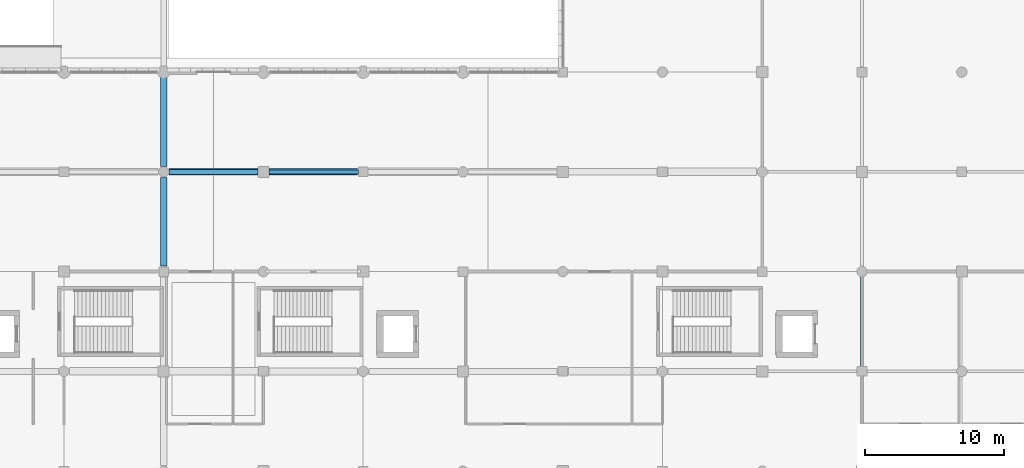
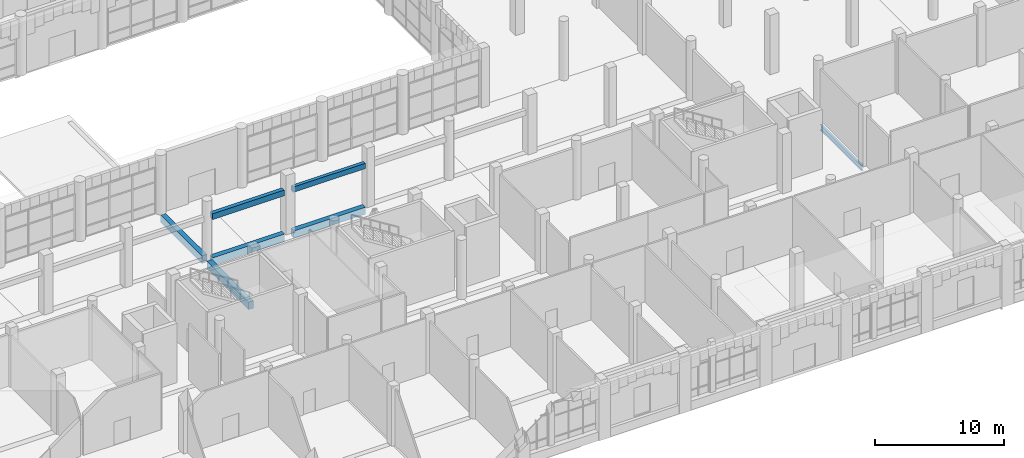
# One storey, part 16 of 85: 7 beams.
"""IFC4 building model written with IfcOpenShell, lengths in metres."""

from ifc_helpers import new_model, si_unit, direction, frame, origin, origin_2d, place, context, subcontext, project, spatial, rectangle, i_section, extrude, material, material_profile, profile_set, type_object, element, save


model = new_model("IFC4")

# Units and contexts
model_context = context("Model", 3, precision=1e-05, world=origin(), true_north=direction((0.0, 1.0)))
body_context = subcontext(model_context, "Body", "Model", "MODEL_VIEW")
ifc_project = project(units=[si_unit("LENGTHUNIT", "METRE"), si_unit("AREAUNIT", "SQUARE_METRE"), si_unit("VOLUMEUNIT", "CUBIC_METRE"), si_unit("PLANEANGLEUNIT", "RADIAN"), si_unit("MASSUNIT", "GRAM", prefix="KILO")], contexts=[model_context])

# Site, building, storey
site_placement = place(None, origin())
site = spatial("IfcSite", under=ifc_project, at=site_placement, CompositionType="ELEMENT")
building_placement = place(site_placement, origin())
building = spatial("IfcBuilding", under=site, at=building_placement, Name="Sardonyx Promenade Sports Hall", CompositionType="ELEMENT")
storey_placement = place(building_placement, origin())
storey = spatial("IfcBuildingStorey", under=building, at=storey_placement, Name="L00", CompositionType="ELEMENT", Elevation=0.0)

# Beams
ifc_material_1 = material(Name="Concrete C40/50", Category="concrete")
ifc_material_profile_1 = material_profile(ifc_material_1, rectangle(XDim=0.35009765625, YDim=0.550048828125, at=origin_2d()))
ifc_profile_set_1 = profile_set([ifc_material_profile_1], Name="Concrete C40/50")
beam_type_1 = type_object("IfcBeamType", Name="Bm_Lintel_Portal", PredefinedType="LINTEL", material=ifc_profile_set_1)
beam_1_placement = place(storey_placement, frame((65.173095703125, 36.0, 3.85009765625), z_axis=(1.0, 0.0, 0.0), x_axis=(0.0, 1.0, 0.0)))
element("IfcBeam", 1, at=beam_1_placement, inside=storey, type_object=beam_type_1, Name="Riwaq sandstone portal lintel #5", PredefinedType="LINTEL", context=body_context, shape_type="SweptSolid", body=[
    extrude(rectangle(XDim=0.35009765625, YDim=0.550048828125, at=origin_2d()), origin(), (0.0, 0.0, 1.0), 6.428955078125),
])
ifc_material_2 = material(Name="Concrete C40/50", Category="concrete")
ifc_material_profile_2 = material_profile(ifc_material_2, rectangle(XDim=0.300048828125, YDim=0.5, at=origin_2d()))
ifc_profile_set_2 = profile_set([ifc_material_profile_2], Name="Concrete C40/50")
beam_type_2 = type_object("IfcBeamType", Name="Bm_Lintel_Sandstone", PredefinedType="LINTEL", material=ifc_profile_set_2)
beam_2_placement = place(storey_placement, frame((72.39794921875, 36.0, 3.85009765625), z_axis=(1.0, 0.0, 0.0), x_axis=(0.0, 1.0, 0.0)))
element("IfcBeam", 2, at=beam_2_placement, inside=storey, type_object=beam_type_2, Name="Riwaq sandstone portal lintel #6", PredefinedType="LINTEL", context=body_context, shape_type="SweptSolid", body=[
    extrude(rectangle(XDim=0.300048828125, YDim=0.5, at=origin_2d()), origin(), (0.0, 0.0, 1.0), 6.4541015625),
])
ifc_material_3 = material(Name="Steel S355JR", Category="steel")
ifc_material_profile_3 = material_profile(ifc_material_3, i_section(OverallWidth=0.199951171875, OverallDepth=0.5, WebThickness=0.01025390625, FlangeThickness=0.01611328125, at=origin_2d()))
ifc_profile_set_3 = profile_set([ifc_material_profile_3], Name="Steel S355JR")
beam_type_3 = type_object("IfcBeamType", Name="Bm_Primary_IPE500", PredefinedType="BEAM", material=ifc_profile_set_3)
beam_3_placement = place(storey_placement, frame((115.199951171875, 22.0, -0.669921875), z_axis=(0.0, 1.0, 0.0), x_axis=(-1.0, 0.0, 0.0)))
element("IfcBeam", 3, at=beam_3_placement, inside=storey, type_object=beam_type_3, Name="Beam SB06 L00 #151", PredefinedType="BEAM", context=body_context, shape_type="SweptSolid", body=[
    extrude(i_section(OverallWidth=0.199951171875, OverallDepth=0.5, WebThickness=0.01025390625, FlangeThickness=0.01611328125, at=origin_2d()), origin(), (0.0, 0.0, 1.0), 6.39990234375),
])
ifc_material_4 = material(Name="Concrete C40/50", Category="concrete")
ifc_material_profile_4 = material_profile(ifc_material_4, rectangle(XDim=0.449951171875, YDim=0.64990234375, at=origin_2d()))
ifc_profile_set_4 = profile_set([ifc_material_profile_4], Name="Concrete C40/50")
beam_type_4 = type_object("IfcBeamType", Name="Bm_Primary_RC650", PredefinedType="BEAM", material=ifc_profile_set_4)
beam_4_placement = place(storey_placement, frame((72.39990234375, 36.0, -0.324951171875), z_axis=(1.0, 0.0, 0.0), x_axis=(0.0, 1.0, 0.0)))
element("IfcBeam", 4, at=beam_4_placement, inside=storey, type_object=beam_type_4, Name="Beam BG05 L00 #110", PredefinedType="BEAM", context=body_context, shape_type="SweptSolid", body=[
    extrude(rectangle(XDim=0.449951171875, YDim=0.64990234375, at=origin_2d()), origin(), (0.0, 0.0, 1.0), 6.400146484375),
])
ifc_material_5 = material(Name="Concrete C40/50", Category="concrete")
ifc_material_profile_5 = material_profile(ifc_material_5, rectangle(XDim=0.449951171875, YDim=0.699951171875, at=origin_2d()))
ifc_profile_set_5 = profile_set([ifc_material_profile_5], Name="Concrete C40/50")
beam_type_5 = type_object("IfcBeamType", Name="Bm_Primary_RC700", PredefinedType="BEAM", material=ifc_profile_set_5)
for number, where, z_axis, x_axis, name in (
    (5, (65.199951171875, 36.0, -0.35009765625), (1.0, 0.0, 0.0), (0.0, 1.0, 0.0), "Beam BG01 L00 #109"),
    (6, (64.800048828125, 29.199951171875, -0.35009765625), (0.0, 1.0, 0.0), (-1.0, 0.0, 0.0), "Beam BG01 L00 #141"),
    (7, (64.800048828125, 36.39990234375, -0.35009765625), (0.0, 1.0, 0.0), (-1.0, 0.0, 0.0), "Beam BG01 L00 #142"),
):
    element("IfcBeam", number, at=place(storey_placement, frame(where, z_axis=z_axis, x_axis=x_axis)), inside=storey, type_object=beam_type_5, Name=name, PredefinedType="BEAM", context=body_context, shape_type="SweptSolid", body=[
        extrude(rectangle(XDim=0.449951171875, YDim=0.699951171875, at=origin_2d()), origin(), (0.0, 0.0, 1.0), 6.400146484375),
    ])

save(model, "model.ifc")
